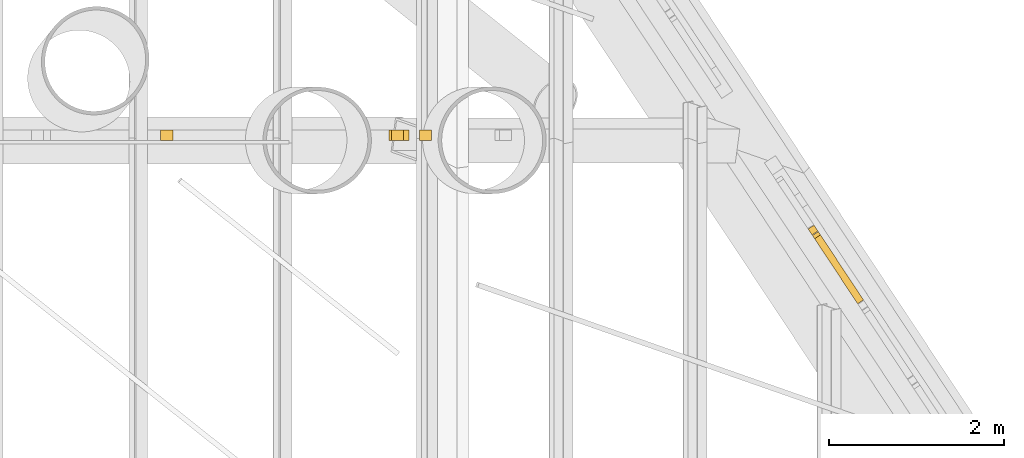
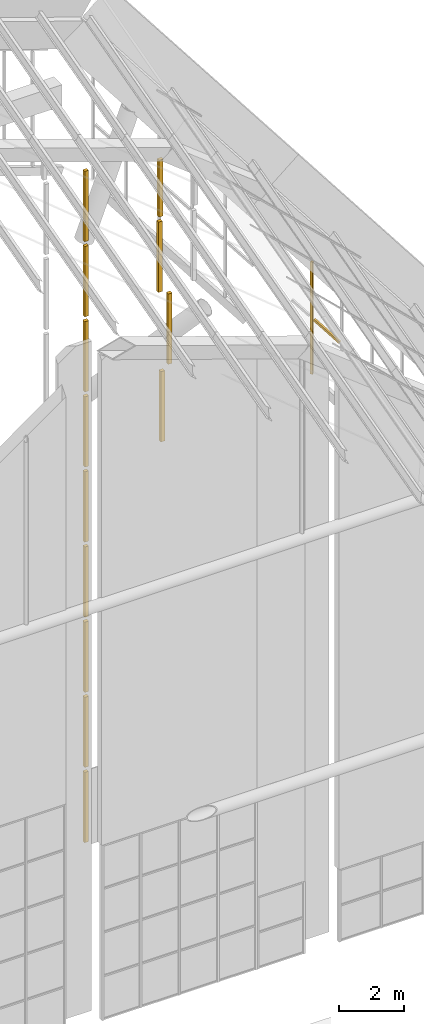
# One storey, part 120 of 126: 15 coverings.
"""IFC4 building model written with IfcOpenShell, lengths in metres."""

from ifc_helpers import new_model, si_unit, direction, frame, origin, origin_2d, place, context, subcontext, project, spatial, rectangle, extrude, material, material_profile, profile_set, type_object, element, save


model = new_model("IFC4")

# Units and contexts
model_context = context("Model", 3, precision=1e-05, world=origin(), true_north=direction((0.0, 1.0)))
body_context = subcontext(model_context, "Body", "Model", "MODEL_VIEW")
ifc_project = project(units=[si_unit("LENGTHUNIT", "METRE"), si_unit("AREAUNIT", "SQUARE_METRE"), si_unit("VOLUMEUNIT", "CUBIC_METRE"), si_unit("PLANEANGLEUNIT", "RADIAN"), si_unit("MASSUNIT", "GRAM", prefix="KILO")], contexts=[model_context])

# Site, building, storey
site_placement = place(None, origin())
site = spatial("IfcSite", under=ifc_project, at=site_placement, CompositionType="ELEMENT")
building_placement = place(site_placement, origin())
building = spatial("IfcBuilding", under=site, at=building_placement, Name="Sava Quay Ferry Terminal", CompositionType="ELEMENT")
storey_placement = place(building_placement, frame((0.0, 0.0, 15.0)))
storey = spatial("IfcBuildingStorey", under=building, at=storey_placement, Name="L03", CompositionType="ELEMENT", Elevation=15.0)

# Coverings
ifc_material_1 = material(Name="Zinc standing seam sheet")
ifc_material_profile_1 = material_profile(ifc_material_1, rectangle(XDim=0.080078125, YDim=0.080078125, at=origin_2d()), Name="Strip 80 x 80")
ifc_profile_set_1 = profile_set([ifc_material_profile_1], Name="Zinc standing seam sheet")
covering_type_1 = type_object("IfcCoveringType", Name="Prow apron seam rib 80 x 80", PredefinedType="CLADDING", material=ifc_profile_set_1)
covering_1_placement = place(storey_placement, frame((79.486083984375, 108.175537109375, 15.682861328125), z_axis=(0.0, 0.0, 1.0), x_axis=(0.55177120658, -0.833995524922, 0.0)))
element("IfcCovering", 1, at=covering_1_placement, inside=storey, type_object=covering_type_1, Name="Prow apron seam rib", PredefinedType="CLADDING", context=body_context, shape_type="SweptSolid", body=[
    extrude(rectangle(XDim=0.080078125, YDim=0.080078125, at=origin_2d()), origin(), (0.0, 0.0, 1.0), 4.201171875),
])
covering_2_placement = place(storey_placement, frame((80.015869140625, 107.374755859375, 17.150390625), z_axis=(-0.460675627767, 0.696279614333, 0.550429527411), x_axis=(0.303719065203, -0.459050535429, 0.834881629546)))
element("IfcCovering", 2, at=covering_2_placement, inside=storey, type_object=covering_type_1, Name="Prow apron cross seam", PredefinedType="CLADDING", context=body_context, shape_type="SweptSolid", body=[
    extrude(rectangle(XDim=0.080078125, YDim=0.080078125, at=origin_2d()), origin(), (0.0, 0.0, 1.0), 1.066162109375),
])
ifc_material_2 = material(Name="Steel S355", Category="steel")
ifc_material_profile_2 = material_profile(ifc_material_2, rectangle(XDim=0.139892578125, YDim=0.1201171875, at=origin_2d()), Name="Strip 140 x 120")
ifc_profile_set_2 = profile_set([ifc_material_profile_2], Name="Steel S355")
covering_type_2 = type_object("IfcCoveringType", Name="Prow glazing bar 140 x 120", PredefinedType="CLADDING", material=ifc_profile_set_2)
covering_3_placement = place(storey_placement, frame((72.10009765625, 109.260009765625, 0.0966796875), z_axis=(0.0, 0.0, 1.0), x_axis=(1.0, 0.0, 0.0)))
element("IfcCovering", 3, at=covering_3_placement, inside=storey, type_object=covering_type_2, Name="Prow glazing bar", PredefinedType="CLADDING", context=body_context, shape_type="SweptSolid", body=[
    extrude(rectangle(XDim=0.139892578125, YDim=0.1201171875, at=origin_2d()), origin(), (0.0, 0.0, 1.0), 2.63330078125),
])
covering_4_placement = place(storey_placement, frame((72.10009765625, 109.260009765625, 2.91015625), z_axis=(0.0, 0.0, 1.0), x_axis=(1.0, 0.0, 0.0)))
element("IfcCovering", 4, at=covering_4_placement, inside=storey, type_object=covering_type_2, Name="Prow glazing bar", PredefinedType="CLADDING", context=body_context, shape_type="SweptSolid", body=[
    extrude(rectangle(XDim=0.139892578125, YDim=0.1201171875, at=origin_2d()), origin(), (0.0, 0.0, 1.0), 2.633056640625),
])
covering_5_placement = place(storey_placement, frame((72.10009765625, 109.260009765625, 5.723388671875), z_axis=(0.0, 0.0, 1.0), x_axis=(1.0, 0.0, 0.0)))
element("IfcCovering", 5, at=covering_5_placement, inside=storey, type_object=covering_type_2, Name="Prow glazing bar", PredefinedType="CLADDING", context=body_context, shape_type="SweptSolid", body=[
    extrude(rectangle(XDim=0.139892578125, YDim=0.1201171875, at=origin_2d()), origin(), (0.0, 0.0, 1.0), 2.63330078125),
])
covering_6_placement = place(storey_placement, frame((72.10009765625, 109.260009765625, 8.536865234375), z_axis=(0.0, 0.0, 1.0), x_axis=(1.0, 0.0, 0.0)))
element("IfcCovering", 6, at=covering_6_placement, inside=storey, type_object=covering_type_2, Name="Prow glazing bar", PredefinedType="CLADDING", context=body_context, shape_type="SweptSolid", body=[
    extrude(rectangle(XDim=0.139892578125, YDim=0.1201171875, at=origin_2d()), origin(), (0.0, 0.0, 1.0), 2.633056640625),
])
covering_7_placement = place(storey_placement, frame((72.10009765625, 109.260009765625, 11.35009765625), z_axis=(0.0, 0.0, 1.0), x_axis=(1.0, 0.0, 0.0)))
element("IfcCovering", 7, at=covering_7_placement, inside=storey, type_object=covering_type_2, Name="Prow glazing bar", PredefinedType="CLADDING", context=body_context, shape_type="SweptSolid", body=[
    extrude(rectangle(XDim=0.139892578125, YDim=0.1201171875, at=origin_2d()), origin(), (0.0, 0.0, 1.0), 2.63330078125),
])
for number, where, z_axis, x_axis, name in (
    (8, (72.10009765625, 109.260009765625, 14.16357421875), (0.0, 0.0, 1.0), (1.0, 0.0, 0.0), "Prow glazing bar"),
    (9, (74.798583984375, 109.260009765625, 14.16357421875), (0.0, 0.0, 1.0), (1.0, 0.0, 0.0), "Prow glazing bar"),
):
    element("IfcCovering", number, at=place(storey_placement, frame(where, z_axis=z_axis, x_axis=x_axis)), inside=storey, type_object=covering_type_2, Name=name, PredefinedType="CLADDING", context=body_context, shape_type="SweptSolid", body=[
        extrude(rectangle(XDim=0.139892578125, YDim=0.1201171875, at=origin_2d()), origin(), (0.0, 0.0, 1.0), 2.633056640625),
    ])
for number, where, z_axis, x_axis, name in (
    (10, (72.10009765625, 109.260009765625, 16.976806640625), (0.0, 0.0, 1.0), (1.0, 0.0, 0.0), "Prow glazing bar"),
    (11, (75.056396484375, 109.260009765625, 16.976806640625), (0.0, 0.0, 1.0), (1.0, 0.0, 0.0), "Prow glazing bar"),
):
    element("IfcCovering", number, at=place(storey_placement, frame(where, z_axis=z_axis, x_axis=x_axis)), inside=storey, type_object=covering_type_2, Name=name, PredefinedType="CLADDING", context=body_context, shape_type="SweptSolid", body=[
        extrude(rectangle(XDim=0.139892578125, YDim=0.1201171875, at=origin_2d()), origin(), (0.0, 0.0, 1.0), 2.63330078125),
    ])
for number, where, z_axis, x_axis, name in (
    (12, (72.10009765625, 109.260009765625, 19.790283203125), (0.0, 0.0, 1.0), (1.0, 0.0, 0.0), "Prow glazing bar"),
    (13, (74.709716796875, 109.260009765625, 19.790283203125), (0.0, 0.0, 1.0), (1.0, 0.0, 0.0), "Prow glazing bar"),
):
    element("IfcCovering", number, at=place(storey_placement, frame(where, z_axis=z_axis, x_axis=x_axis)), inside=storey, type_object=covering_type_2, Name=name, PredefinedType="CLADDING", context=body_context, shape_type="SweptSolid", body=[
        extrude(rectangle(XDim=0.139892578125, YDim=0.1201171875, at=origin_2d()), origin(), (0.0, 0.0, 1.0), 2.633056640625),
    ])
covering_8_placement = place(storey_placement, frame((72.10009765625, 109.260009765625, 22.603515625), z_axis=(0.0, 0.0, 1.0), x_axis=(1.0, 0.0, 0.0)))
element("IfcCovering", 14, at=covering_8_placement, inside=storey, type_object=covering_type_2, Name="Prow glazing bar", PredefinedType="CLADDING", context=body_context, shape_type="SweptSolid", body=[
    extrude(rectangle(XDim=0.139892578125, YDim=0.1201171875, at=origin_2d()), origin(), (0.0, 0.0, 1.0), 2.63330078125),
])
covering_9_placement = place(storey_placement, frame((74.736328125, 109.260009765625, 22.603515625), z_axis=(0.0, 0.0, 1.0), x_axis=(1.0, 0.0, 0.0)))
element("IfcCovering", 15, at=covering_9_placement, inside=storey, type_object=covering_type_2, Name="Prow glazing bar", PredefinedType="CLADDING", context=body_context, shape_type="SweptSolid", body=[
    extrude(rectangle(XDim=0.139892578125, YDim=0.1201171875, at=origin_2d()), origin(), (0.0, 0.0, 1.0), 2.128662109375),
])

save(model, "model.ifc")
